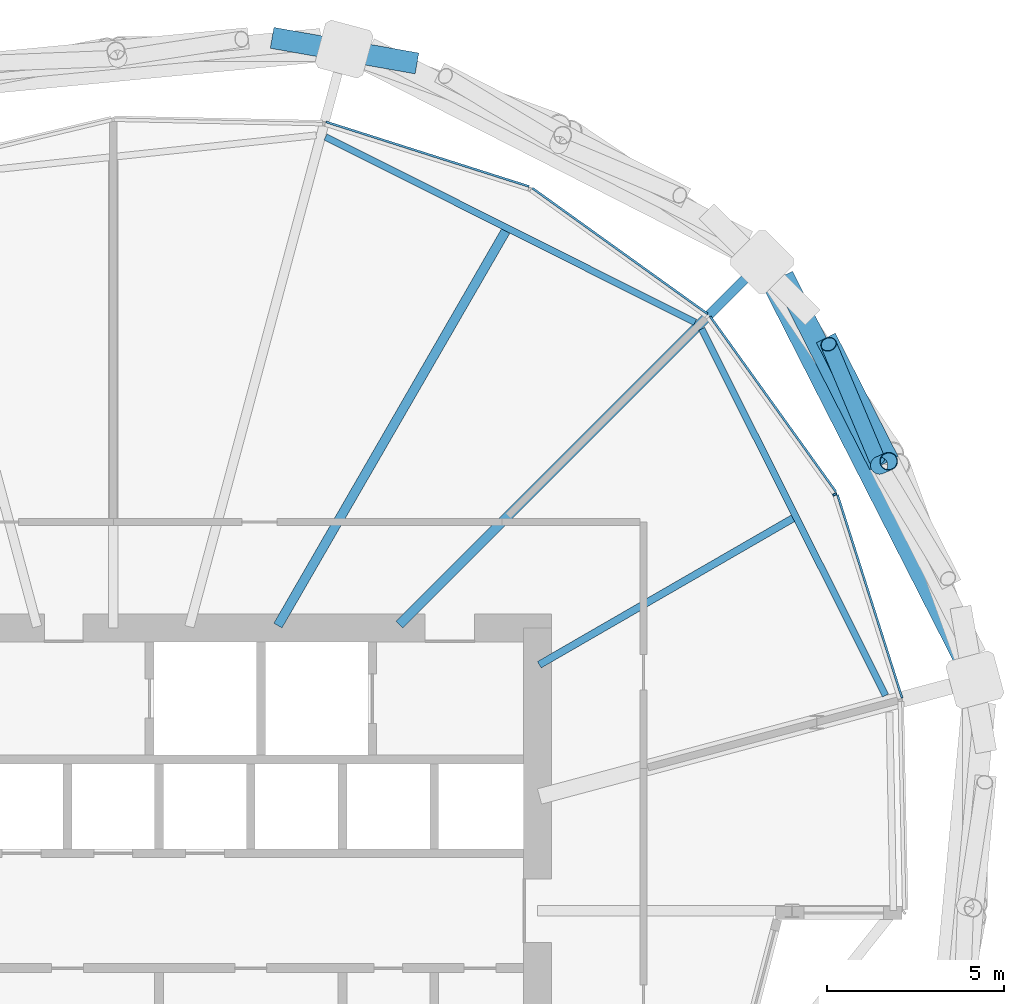
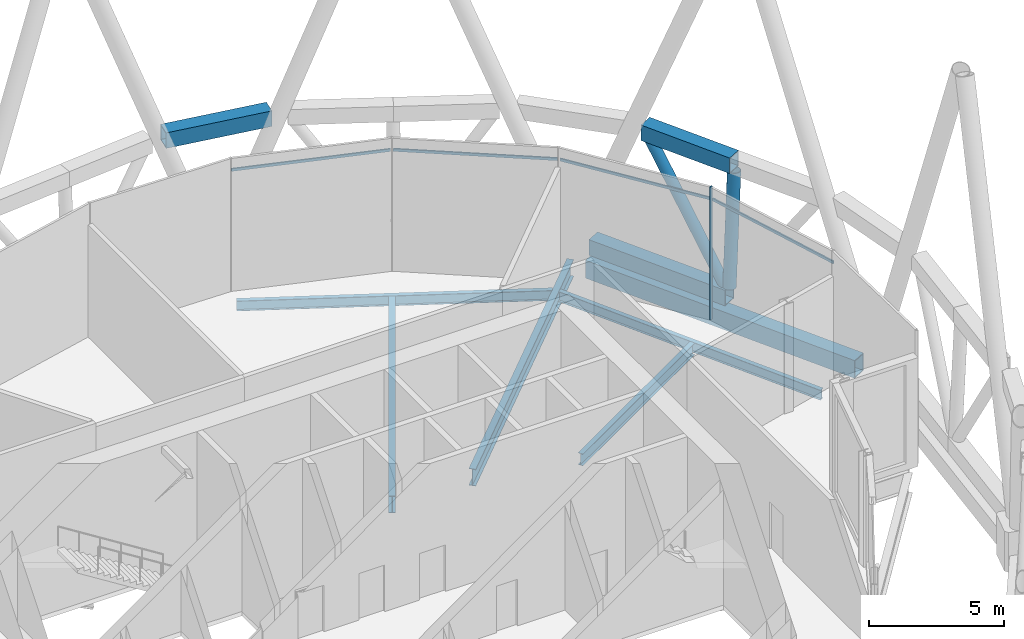
# One storey, part 23 of 33: 10 members, 6 beams, 1 element without a shape of its own.
"""IFC4 building model written with IfcOpenShell, lengths in metres."""

from ifc_helpers import new_model, si_unit, direction, frame, origin, origin_2d, place, context, subcontext, project, spatial, rectangle, hollow_rectangle, hollow_circle, i_section, extrude, material, material_profile, profile_set, type_object, element, aggregate, save


model = new_model("IFC4")

# Units and contexts
model_context = context("Model", 3, precision=1e-05, world=origin(), true_north=direction((0.0, 1.0)))
body_context = subcontext(model_context, "Body", "Model", "MODEL_VIEW")
ifc_project = project(units=[si_unit("LENGTHUNIT", "METRE"), si_unit("AREAUNIT", "SQUARE_METRE"), si_unit("VOLUMEUNIT", "CUBIC_METRE"), si_unit("PLANEANGLEUNIT", "RADIAN"), si_unit("MASSUNIT", "GRAM", prefix="KILO")], contexts=[model_context])

# Site, building, storey
site_placement = place(None, origin())
site = spatial("IfcSite", under=ifc_project, at=site_placement, CompositionType="ELEMENT")
building_placement = place(site_placement, origin())
building = spatial("IfcBuilding", under=site, at=building_placement, Name="Rimbun Link Towers", CompositionType="ELEMENT")
storey_placement = place(building_placement, frame((0.0, 0.0, 75.60009765625)))
storey = spatial("IfcBuildingStorey", under=building, at=storey_placement, Name="L18", CompositionType="ELEMENT", Elevation=75.60009765625)

# Members
ifc_material_1 = material(Name="Steel S460N", Category="steel")
ifc_material_profile_1 = material_profile(ifc_material_1, hollow_rectangle(XDim=0.60009765625, YDim=0.699951171875, WallThickness=0.034912109375, at=origin_2d()), Name="Belt truss chord BOX 600x700x35")
ifc_profile_set_1 = profile_set([ifc_material_profile_1], Name="Steel S460N")
member_type_1 = type_object("IfcMemberType", Name="Belt truss chord BOX 600x700x35", PredefinedType="CHORD", material=ifc_profile_set_1)
member_1_placement = place(storey_placement, frame((40.341552734375, 23.971435546875, 6.0), z_axis=(-0.984775880026, 0.173828841446, 0.0), x_axis=(-0.173828841446, -0.984775880026, 0.0)))
element("IfcMember", 1, at=member_1_placement, inside=storey, type_object=member_type_1, Name="Belt truss chord T2 L18 top 01", PredefinedType="CHORD", context=body_context, shape_type="SweptSolid", body=[
    extrude(hollow_rectangle(XDim=0.60009765625, YDim=0.699951171875, WallThickness=0.034912109375, at=origin_2d()), origin(), (0.0, 0.0, 1.0), 4.16162109375),
])
member_2_placement = place(storey_placement, frame((53.4267578125, 12.6015625, 0.18994140625), z_axis=(-0.453929433381, 0.891037636416, 0.0), x_axis=(-0.891037636416, -0.453929433381, 0.0)))
element("IfcMember", 2, at=member_2_placement, inside=storey, type_object=member_type_1, Name="Belt truss chord T2 L18 bottom 23", PredefinedType="CHORD", context=body_context, shape_type="SweptSolid", body=[
    extrude(hollow_rectangle(XDim=0.60009765625, YDim=0.699951171875, WallThickness=0.034912109375, at=origin_2d()), origin(), (0.0, 0.0, 1.0), 6.0087890625),
])
member_3_placement = place(storey_placement, frame((53.688720703125, 12.715576171875, 6.0), z_axis=(-0.454008902546, 0.890997147251, 0.0), x_axis=(-0.890997147251, -0.454008902546, 0.0)))
element("IfcMember", 3, at=member_3_placement, inside=storey, type_object=member_type_1, Name="Belt truss chord T2 L18 top 35", PredefinedType="CHORD", context=body_context, shape_type="SweptSolid", body=[
    extrude(hollow_rectangle(XDim=0.60009765625, YDim=0.699951171875, WallThickness=0.034912109375, at=origin_2d()), origin(), (0.0, 0.0, 1.0), 3.915771484375),
])
ifc_material_2 = material(Name="Steel S355J2H", Category="steel")
ifc_material_profile_2 = material_profile(ifc_material_2, hollow_circle(Radius=0.228515625, WallThickness=0.01611328125, at=origin_2d()), Name="Belt truss diagonal CHS 457x16")
ifc_profile_set_2 = profile_set([ifc_material_profile_2], Name="Steel S355J2H")
member_type_2 = type_object("IfcMemberType", Name="Belt truss diagonal CHS 457x16", PredefinedType="BRACE", material=ifc_profile_set_2)
member_4_placement = place(storey_placement, frame((53.35107421875, 12.781494140625, 0.480224609375), z_axis=(-0.216455219413, 0.514565342641, 0.82968044821), x_axis=(-0.921765937869, -0.387746767601, 0.0)))
element("IfcMember", 4, at=member_4_placement, inside=storey, type_object=member_type_2, Name="Belt truss diagonal T2 L18 23", PredefinedType="BRACE", context=body_context, shape_type="SweptSolid", body=[
    extrude(hollow_circle(Radius=0.228515625, WallThickness=0.01611328125, at=origin_2d()), origin(), (0.0, 0.0, 1.0), 6.302734375),
])
ifc_material_3 = material(Name="Steel S355J2H", Category="steel")
ifc_material_profile_3 = material_profile(ifc_material_3, hollow_circle(Radius=0.25390625, WallThickness=0.02001953125, at=origin_2d()), Name="Belt truss strut CHS 508x20")
ifc_profile_set_3 = profile_set([ifc_material_profile_3], Name="Steel S355J2H")
member_type_3 = type_object("IfcMemberType", Name="Belt truss strut CHS 508x20", PredefinedType="STRUT", material=ifc_profile_set_3)
member_5_placement = place(storey_placement, frame((53.4267578125, 12.6015625, 0.539794921875), z_axis=(0.051183744168, 0.022276615589, 0.998440772771), x_axis=(-0.399069801079, 0.916920549375, 0.0)))
element("IfcMember", 5, at=member_5_placement, inside=storey, type_object=member_type_3, Name="Belt truss strut T2 L18 11", PredefinedType="STRUT", context=body_context, shape_type="SweptSolid", body=[
    extrude(hollow_circle(Radius=0.25390625, WallThickness=0.02001953125, at=origin_2d()), origin(), (0.0, 0.0, 1.0), 5.1181640625),
])

# Curtain wall, members
ifc_material_4 = material(Name="Aluminium 6063-T6 louvre wall", Category="aluminium")
curtain_wall_type = type_object("IfcCurtainWallType", Name="CW6 plant floor louvre wall", PredefinedType="NOTDEFINED", material=ifc_material_4)
curtain_wall_placement = place(storey_placement, origin())
curtain_wall = element("IfcCurtainWall", 6, at=curtain_wall_placement, inside=storey, type_object=curtain_wall_type, Name="CW6 L18 T2", PredefinedType="NOTDEFINED")
ifc_material_5 = material(Name="Aluminium 6063-T6", Category="aluminium")
ifc_material_profile_4 = material_profile(ifc_material_5, rectangle(XDim=0.1201171875, YDim=0.06005859375, at=origin_2d()), Name="MULLION 60X120")
ifc_profile_set_4 = profile_set([ifc_material_profile_4], Name="Aluminium 6063-T6")
member_type_4 = type_object("IfcMemberType", Name="CW6 mullion 60X120", PredefinedType="MULLION", material=ifc_profile_set_4)
member_6_placement = place(storey_placement, frame((52.160888671875, 11.780029296875, 0.0), z_axis=(0.0, 0.0, 1.0), x_axis=(0.893746632665, 0.448572130878, 0.0)))
member_6 = element("IfcMember", 7, at=member_6_placement, type_object=member_type_4, Name="CW6 mullion", PredefinedType="MULLION", context=body_context, shape_type="SweptSolid", body=[
    extrude(rectangle(XDim=0.1201171875, YDim=0.06005859375, at=origin_2d()), origin(), (0.0, 0.0, 1.0), 6.0),
])
ifc_material_6 = material(Name="Aluminium 6063-T6", Category="aluminium")
ifc_material_profile_5 = material_profile(ifc_material_6, rectangle(XDim=0.06005859375, YDim=0.1201171875, at=origin_2d()), Name="TRANSOM 60X120")
ifc_profile_set_5 = profile_set([ifc_material_profile_5], Name="Aluminium 6063-T6")
member_type_5 = type_object("IfcMemberType", Name="CW6 transom 60X120", PredefinedType="USERDEFINED", material=ifc_profile_set_5)
member_7_placement = place(storey_placement, frame((43.603271484375, 20.4453125, 5.39990234375), z_axis=(0.812475253921, -0.582995679028, 0.0), x_axis=(0.582995679028, 0.812475253921, 0.0)))
member_7 = element("IfcMember", 8, at=member_7_placement, type_object=member_type_5, Name="CW6 transom", ObjectType="TRANSOM", PredefinedType="USERDEFINED", context=body_context, shape_type="SweptSolid", body=[
    extrude(rectangle(XDim=0.06005859375, YDim=0.1201171875, at=origin_2d()), origin(), (0.0, 0.0, 1.0), 6.105712890625),
])
member_8_placement = place(storey_placement, frame((37.767333984375, 22.31787109375, 5.39990234375), z_axis=(0.952965118842, -0.303079993188, 0.0), x_axis=(0.303079993188, 0.952965118842, 0.0)))
member_8 = element("IfcMember", 9, at=member_8_placement, type_object=member_type_5, Name="CW6 transom", ObjectType="TRANSOM", PredefinedType="USERDEFINED", context=body_context, shape_type="SweptSolid", body=[
    extrude(rectangle(XDim=0.06005859375, YDim=0.1201171875, at=origin_2d()), origin(), (0.0, 0.0, 1.0), 6.0302734375),
])
member_9_placement = place(storey_placement, frame((52.240234375, 11.763916015625, 5.39990234375), z_axis=(0.303079993188, -0.952965118842, 0.0), x_axis=(0.952965118842, 0.303079993188, 0.0)))
member_9 = element("IfcMember", 10, at=member_9_placement, type_object=member_type_5, Name="CW6 transom", ObjectType="TRANSOM", PredefinedType="USERDEFINED", context=body_context, shape_type="SweptSolid", body=[
    extrude(rectangle(XDim=0.06005859375, YDim=0.1201171875, at=origin_2d()), origin(), (0.0, 0.0, 1.0), 6.0302734375),
])
member_10_placement = place(storey_placement, frame((48.6357421875, 16.81396484375, 5.39990234375), z_axis=(0.582995679028, -0.812475253921, 0.0), x_axis=(0.812475253921, 0.582995679028, 0.0)))
member_10 = element("IfcMember", 11, at=member_10_placement, type_object=member_type_5, Name="CW6 transom", ObjectType="TRANSOM", PredefinedType="USERDEFINED", context=body_context, shape_type="SweptSolid", body=[
    extrude(rectangle(XDim=0.06005859375, YDim=0.1201171875, at=origin_2d()), origin(), (0.0, 0.0, 1.0), 6.105712890625),
])
aggregate(curtain_wall, [member_6, member_7, member_8, member_9, member_10])

# Beams
ifc_material_7 = material(Name="Steel S355J2", Category="steel")
ifc_material_profile_6 = material_profile(ifc_material_7, hollow_rectangle(XDim=0.60009765625, YDim=0.800048828125, WallThickness=0.0400390625, at=origin_2d()), Name="Exoskeleton ring girder BOX 600x800x40")
ifc_profile_set_6 = profile_set([ifc_material_profile_6], Name="Steel S355J2")
beam_type_1 = type_object("IfcBeamType", Name="Exoskeleton ring girder BOX 600x800x40", PredefinedType="BEAM", material=ifc_profile_set_6)
beam_1_placement = place(storey_placement, frame((55.80859375, 7.1552734375, -0.56005859375), z_axis=(-0.453931944734, 0.89103635703, 0.0), x_axis=(-0.89103635703, -0.453931944734, 0.0)))
element("IfcBeam", 12, at=beam_1_placement, inside=storey, type_object=beam_type_1, Name="Exoskeleton ring girder L18 11", PredefinedType="BEAM", context=body_context, shape_type="SweptSolid", body=[
    extrude(hollow_rectangle(XDim=0.60009765625, YDim=0.800048828125, WallThickness=0.0400390625, at=origin_2d()), origin(), (0.0, 0.0, 1.0), 11.867919921875),
])
ifc_material_8 = material(Name="Steel S355J2", Category="steel")
ifc_material_profile_7 = material_profile(ifc_material_8, i_section(OverallWidth=0.18994140625, OverallDepth=0.453369140625, WebThickness=0.008544921875, FlangeThickness=0.0126953125, at=origin_2d()), Name="UB 457x191x67")
ifc_profile_set_7 = profile_set([ifc_material_profile_7], Name="Steel S355J2")
beam_type_2 = type_object("IfcBeamType", Name="UB 457x191x67", PredefinedType="BEAM", material=ifc_profile_set_7)
beam_2_placement = place(storey_placement, frame((48.20703125, 16.64697265625, -0.4267578125), z_axis=(-0.893745580068, 0.448574228094, 0.0), x_axis=(-0.448574228094, -0.893745580068, 0.0)))
element("IfcBeam", 13, at=beam_2_placement, inside=storey, type_object=beam_type_2, Name="Edge beam T2 L18 00-02", PredefinedType="BEAM", context=body_context, shape_type="SweptSolid", body=[
    extrude(i_section(OverallWidth=0.18994140625, OverallDepth=0.453369140625, WebThickness=0.008544921875, FlangeThickness=0.0126953125, at=origin_2d()), origin(), (0.0, 0.0, 1.0), 11.694580078125),
])
beam_3_placement = place(storey_placement, frame((53.600830078125, 6.0888671875, -0.4267578125), z_axis=(-0.448576799665, 0.893744289382, 0.0), x_axis=(-0.893744289382, -0.448576799665, 0.0)))
element("IfcBeam", 14, at=beam_3_placement, inside=storey, type_object=beam_type_2, Name="Edge beam T2 L18 22-00", PredefinedType="BEAM", context=body_context, shape_type="SweptSolid", body=[
    extrude(i_section(OverallWidth=0.18994140625, OverallDepth=0.453369140625, WebThickness=0.008544921875, FlangeThickness=0.0126953125, at=origin_2d()), origin(), (0.0, 0.0, 1.0), 11.600830078125),
])
ifc_material_9 = material(Name="Steel S355J2", Category="steel")
ifc_material_profile_8 = material_profile(ifc_material_9, i_section(OverallWidth=0.209228515625, OverallDepth=0.533203125, WebThickness=0.010009765625, FlangeThickness=0.015625, at=origin_2d()), Name="UB 533x210x92")
ifc_profile_set_8 = profile_set([ifc_material_profile_8], Name="Steel S355J2")
beam_type_3 = type_object("IfcBeamType", Name="UB 533x210x92", PredefinedType="BEAM", material=ifc_profile_set_8)
beam_4_placement = place(storey_placement, frame((43.80322265625, 6.958984375, -0.466796875), z_axis=(0.866032962715, 0.49998690732, 0.0), x_axis=(-0.49998690732, 0.866032962715, 0.0)))
element("IfcBeam", 15, at=beam_4_placement, inside=storey, type_object=beam_type_3, Name="Radial beam T2 L18 23", PredefinedType="BEAM", context=body_context, shape_type="SweptSolid", body=[
    extrude(i_section(OverallWidth=0.209228515625, OverallDepth=0.533203125, WebThickness=0.010009765625, FlangeThickness=0.015625, at=origin_2d()), origin(), (0.0, 0.0, 1.0), 8.284423828125),
])
ifc_material_10 = material(Name="Steel S355J2", Category="steel")
ifc_material_profile_9 = material_profile(ifc_material_10, i_section(OverallWidth=0.2666015625, OverallDepth=0.76220703125, WebThickness=0.014404296875, FlangeThickness=0.021484375, at=origin_2d()), Name="UB 762x267x173")
ifc_profile_set_9 = profile_set([ifc_material_profile_9], Name="Steel S355J2")
beam_type_4 = type_object("IfcBeamType", Name="UB 762x267x173", PredefinedType="BEAM", material=ifc_profile_set_9)
beam_5_placement = place(storey_placement, frame((39.844970703125, 8.094970703125, -0.581298828125), z_axis=(0.707106781187, 0.707106781187, 0.0), x_axis=(-0.707106781187, 0.707106781187, 0.0)))
element("IfcBeam", 16, at=beam_5_placement, inside=storey, type_object=beam_type_4, Name="Radial beam T2 L18 00", PredefinedType="BEAM", context=body_context, shape_type="SweptSolid", body=[
    extrude(i_section(OverallWidth=0.2666015625, OverallDepth=0.76220703125, WebThickness=0.014404296875, FlangeThickness=0.021484375, at=origin_2d()), origin(), (0.0, 0.0, 1.0), 14.0078125),
])
beam_6_placement = place(storey_placement, frame((36.40771484375, 8.0673828125, -0.581298828125), z_axis=(0.499994133855, 0.866028790578, 0.0), x_axis=(-0.866028790578, 0.499994133855, 0.0)))
element("IfcBeam", 17, at=beam_6_placement, inside=storey, type_object=beam_type_4, Name="Radial beam T2 L18 01", PredefinedType="BEAM", context=body_context, shape_type="SweptSolid", body=[
    extrude(i_section(OverallWidth=0.2666015625, OverallDepth=0.76220703125, WebThickness=0.014404296875, FlangeThickness=0.021484375, at=origin_2d()), origin(), (0.0, 0.0, 1.0), 12.886962890625),
])

save(model, "model.ifc")
